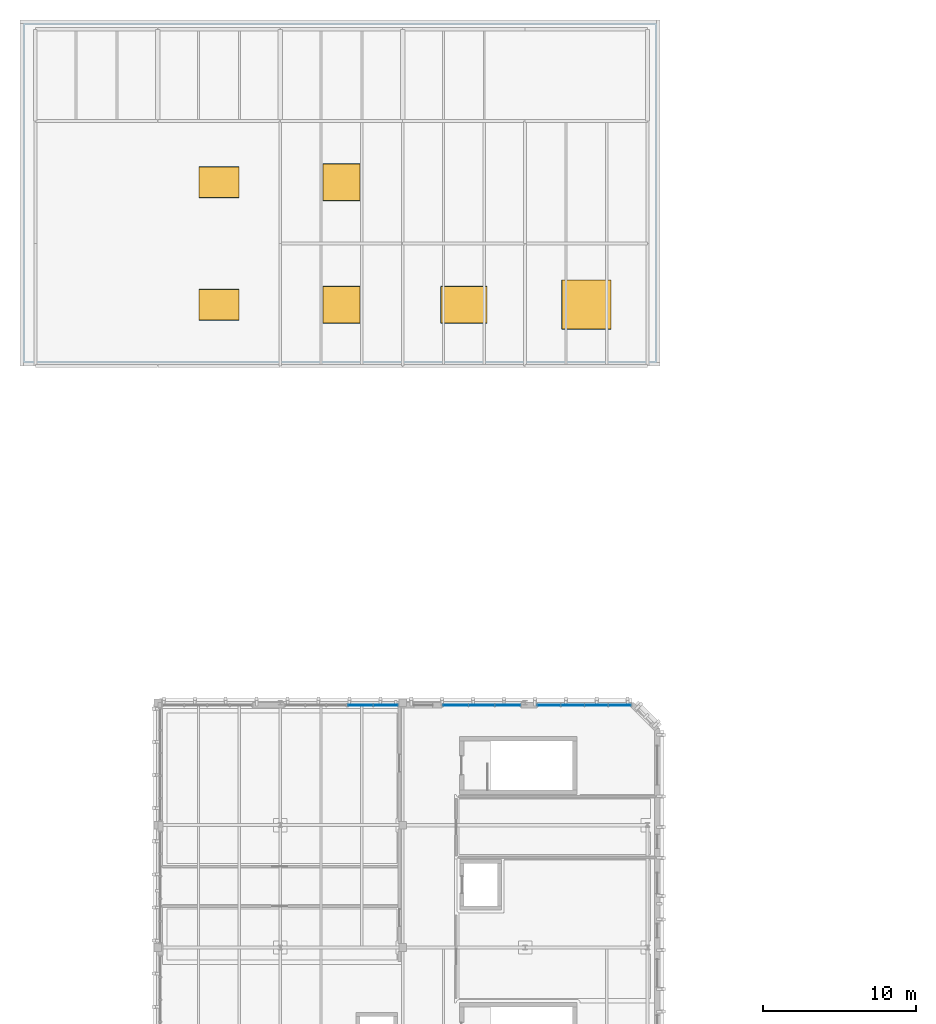
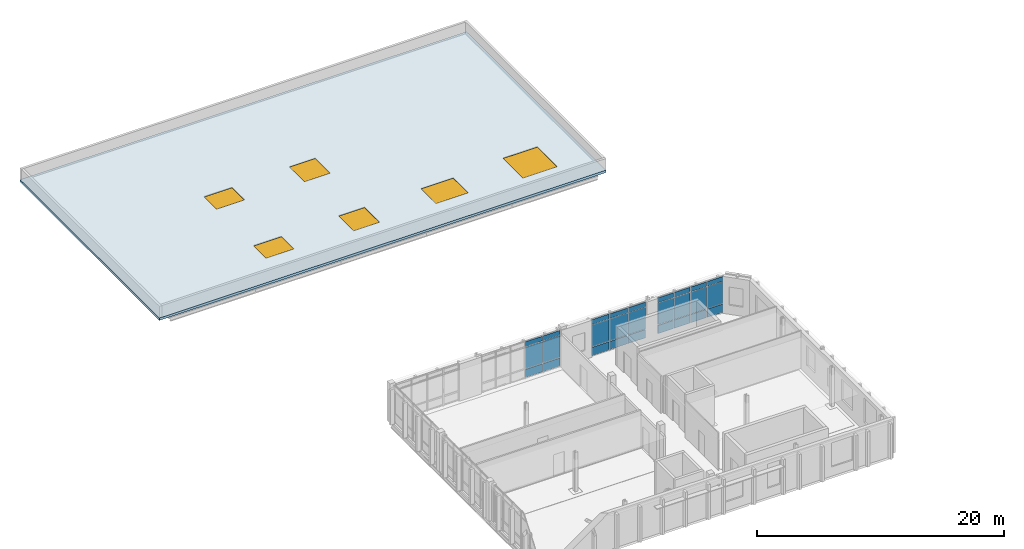
# One storey, part 14 of 28: 27 plates, 6 windows, 1 slab, 6 openings, 3 elements without a shape of their own.
"""IFC4 building model written with IfcOpenShell, lengths in metres."""

from ifc_helpers import new_model, si_unit, direction, frame, origin, origin_2d, place, context, subcontext, project, spatial, polyline, rectangle, outline, extrude, material, layer, layer_set, type_object, element, fill, aggregate, save


model = new_model("IFC4")

# Units and contexts
model_context = context("Model", 3, precision=1e-05, world=origin(), true_north=direction((0.0, 1.0)))
body_context = subcontext(model_context, "Body", "Model", "MODEL_VIEW")
ifc_project = project(units=[si_unit("LENGTHUNIT", "METRE"), si_unit("AREAUNIT", "SQUARE_METRE"), si_unit("VOLUMEUNIT", "CUBIC_METRE"), si_unit("PLANEANGLEUNIT", "RADIAN"), si_unit("MASSUNIT", "GRAM", prefix="KILO")], contexts=[model_context])

# Site, building, storey
site_placement = place(None, origin())
site = spatial("IfcSite", under=ifc_project, at=site_placement, CompositionType="ELEMENT")
building_placement = place(site_placement, origin())
building = spatial("IfcBuilding", under=site, at=building_placement, Name="Cymarion Research Institute", CompositionType="ELEMENT")
storey_placement = place(building_placement, frame((0.0, 0.0, 30.60009765625)))
storey = spatial("IfcBuildingStorey", under=building, at=storey_placement, Name="L07", CompositionType="ELEMENT", Elevation=30.60009765625)

# Curtain wall, plates
ifc_material_1 = material(Name="Anodised aluminium unitised curtain wall with Low-E glazing", Category="aluminium")
curtain_wall_type_1 = type_object("IfcCurtainWallType", Name="UNITISED CURTAIN WALL CW70 6200X3660", PredefinedType="NOTDEFINED", material=ifc_material_1)
curtain_wall_1_placement = place(storey_placement, origin())
curtain_wall_1 = element("IfcCurtainWall", 1, at=curtain_wall_1_placement, inside=storey, type_object=curtain_wall_type_1, Name="L07 V4 unitised curtain wall CW70 #235", PredefinedType="NOTDEFINED")
ifc_material_2 = material(Name="Insulated anodised aluminium spandrel panel", Category="aluminium")
ifc_layer_1 = layer(ifc_material_2, 0.06005859375)
ifc_layer_set_1 = layer_set([ifc_layer_1], Name="Insulated anodised aluminium spandrel panel")
plate_type_1 = type_object("IfcPlateType", Name="INSULATED ALUMINIUM SPANDREL PANEL SP01 60MM", PredefinedType="SHEET", material=ifc_layer_set_1)
plate_1_placement = place(storey_placement, frame((44.787841796875, 71.330078125, 0.059814453125), z_axis=(0.0, 0.0, 1.0), x_axis=(-1.0, 0.0, 0.0)))
plate_1 = element("IfcPlate", 2, at=plate_1_placement, type_object=plate_type_1, Name="CW70 panel 1.1", PredefinedType="SHEET", context=body_context, shape_type="SweptSolid", body=[
    extrude(rectangle(XDim=1.458984375, YDim=0.06005859375, at=origin_2d()), origin(), (0.0, 0.0, 1.0), 0.81005859375),
])
plate_2_placement = place(storey_placement, frame((44.787841796875, 71.330078125, 3.139892578125), z_axis=(0.0, 0.0, 1.0), x_axis=(-1.0, 0.0, 0.0)))
plate_2 = element("IfcPlate", 3, at=plate_2_placement, type_object=plate_type_1, Name="CW70 panel 1.3", PredefinedType="SHEET", context=body_context, shape_type="SweptSolid", body=[
    extrude(rectangle(XDim=1.458984375, YDim=0.06005859375, at=origin_2d()), origin(), (0.0, 0.0, 1.0), 0.4599609375),
])
plate_3_placement = place(storey_placement, frame((43.25390625, 71.330078125, 0.059814453125), z_axis=(0.0, 0.0, 1.0), x_axis=(-1.0, 0.0, 0.0)))
plate_3 = element("IfcPlate", 4, at=plate_3_placement, type_object=plate_type_1, Name="CW70 panel 2.1", PredefinedType="SHEET", context=body_context, shape_type="SweptSolid", body=[
    extrude(rectangle(XDim=1.48876953125, YDim=0.06005859375, at=origin_2d()), origin(), (0.0, 0.0, 1.0), 0.81005859375),
])
plate_4_placement = place(storey_placement, frame((43.25390625, 71.330078125, 3.139892578125), z_axis=(0.0, 0.0, 1.0), x_axis=(-1.0, 0.0, 0.0)))
plate_4 = element("IfcPlate", 5, at=plate_4_placement, type_object=plate_type_1, Name="CW70 panel 2.3", PredefinedType="SHEET", context=body_context, shape_type="SweptSolid", body=[
    extrude(rectangle(XDim=1.48876953125, YDim=0.06005859375, at=origin_2d()), origin(), (0.0, 0.0, 1.0), 0.4599609375),
])
plate_5_placement = place(storey_placement, frame((41.705078125, 71.330078125, 0.059814453125), z_axis=(0.0, 0.0, 1.0), x_axis=(-1.0, 0.0, 0.0)))
plate_5 = element("IfcPlate", 6, at=plate_5_placement, type_object=plate_type_1, Name="CW70 panel 3.1", PredefinedType="SHEET", context=body_context, shape_type="SweptSolid", body=[
    extrude(rectangle(XDim=1.48876953125, YDim=0.06005859375, at=origin_2d()), origin(), (0.0, 0.0, 1.0), 0.81005859375),
])
plate_6_placement = place(storey_placement, frame((41.705078125, 71.330078125, 3.139892578125), z_axis=(0.0, 0.0, 1.0), x_axis=(-1.0, 0.0, 0.0)))
plate_6 = element("IfcPlate", 7, at=plate_6_placement, type_object=plate_type_1, Name="CW70 panel 3.3", PredefinedType="SHEET", context=body_context, shape_type="SweptSolid", body=[
    extrude(rectangle(XDim=1.48876953125, YDim=0.06005859375, at=origin_2d()), origin(), (0.0, 0.0, 1.0), 0.4599609375),
])
plate_7_placement = place(storey_placement, frame((40.171142578125, 71.330078125, 0.059814453125), z_axis=(0.0, 0.0, 1.0), x_axis=(-1.0, 0.0, 0.0)))
plate_7 = element("IfcPlate", 8, at=plate_7_placement, type_object=plate_type_1, Name="CW70 panel 4.1", PredefinedType="SHEET", context=body_context, shape_type="SweptSolid", body=[
    extrude(rectangle(XDim=1.458984375, YDim=0.06005859375, at=origin_2d()), origin(), (0.0, 0.0, 1.0), 0.81005859375),
])
plate_8_placement = place(storey_placement, frame((40.171142578125, 71.330078125, 3.139892578125), z_axis=(0.0, 0.0, 1.0), x_axis=(-1.0, 0.0, 0.0)))
plate_8 = element("IfcPlate", 9, at=plate_8_placement, type_object=plate_type_1, Name="CW70 panel 4.3", PredefinedType="SHEET", context=body_context, shape_type="SweptSolid", body=[
    extrude(rectangle(XDim=1.458984375, YDim=0.06005859375, at=origin_2d()), origin(), (0.0, 0.0, 1.0), 0.4599609375),
])

curtain_wall_type_2 = type_object("IfcCurtainWallType", Name="UNITISED CURTAIN WALL CW71 5150X3660", PredefinedType="NOTDEFINED", material=ifc_material_1)
curtain_wall_2_placement = place(storey_placement, origin())
curtain_wall_2 = element("IfcCurtainWall", 10, at=curtain_wall_2_placement, inside=storey, type_object=curtain_wall_type_2, Name="L07 V4 unitised curtain wall CW71 #236", PredefinedType="NOTDEFINED")
plate_9_placement = place(storey_placement, frame((37.466064453125, 71.330078125, 0.059814453125), z_axis=(0.0, 0.0, 1.0), x_axis=(-1.0, 0.0, 0.0)))
plate_9 = element("IfcPlate", 11, at=plate_9_placement, type_object=plate_type_1, Name="CW71 panel 1.1", PredefinedType="SHEET", context=body_context, shape_type="SweptSolid", body=[
    extrude(rectangle(XDim=1.6279296875, YDim=0.06005859375, at=origin_2d()), origin(), (0.0, 0.0, 1.0), 0.81005859375),
])
plate_10_placement = place(storey_placement, frame((37.466064453125, 71.330078125, 3.139892578125), z_axis=(0.0, 0.0, 1.0), x_axis=(-1.0, 0.0, 0.0)))
plate_10 = element("IfcPlate", 12, at=plate_10_placement, type_object=plate_type_1, Name="CW71 panel 1.3", PredefinedType="SHEET", context=body_context, shape_type="SweptSolid", body=[
    extrude(rectangle(XDim=1.6279296875, YDim=0.06005859375, at=origin_2d()), origin(), (0.0, 0.0, 1.0), 0.4599609375),
])
plate_11_placement = place(storey_placement, frame((35.76318359375, 71.330078125, 0.059814453125), z_axis=(0.0, 0.0, 1.0), x_axis=(-1.0, 0.0, 0.0)))
plate_11 = element("IfcPlate", 13, at=plate_11_placement, type_object=plate_type_1, Name="CW71 panel 2.1", PredefinedType="SHEET", context=body_context, shape_type="SweptSolid", body=[
    extrude(rectangle(XDim=1.657958984375, YDim=0.06005859375, at=origin_2d()), origin(), (0.0, 0.0, 1.0), 0.81005859375),
])
plate_12_placement = place(storey_placement, frame((35.76318359375, 71.330078125, 3.139892578125), z_axis=(0.0, 0.0, 1.0), x_axis=(-1.0, 0.0, 0.0)))
plate_12 = element("IfcPlate", 14, at=plate_12_placement, type_object=plate_type_1, Name="CW71 panel 2.3", PredefinedType="SHEET", context=body_context, shape_type="SweptSolid", body=[
    extrude(rectangle(XDim=1.657958984375, YDim=0.06005859375, at=origin_2d()), origin(), (0.0, 0.0, 1.0), 0.4599609375),
])
plate_13_placement = place(storey_placement, frame((34.060302734375, 71.330078125, 0.059814453125), z_axis=(0.0, 0.0, 1.0), x_axis=(-1.0, 0.0, 0.0)))
plate_13 = element("IfcPlate", 15, at=plate_13_placement, type_object=plate_type_1, Name="CW71 panel 3.1", PredefinedType="SHEET", context=body_context, shape_type="SweptSolid", body=[
    extrude(rectangle(XDim=1.6279296875, YDim=0.06005859375, at=origin_2d()), origin(), (0.0, 0.0, 1.0), 0.81005859375),
])
plate_14_placement = place(storey_placement, frame((34.060302734375, 71.330078125, 3.139892578125), z_axis=(0.0, 0.0, 1.0), x_axis=(-1.0, 0.0, 0.0)))
plate_14 = element("IfcPlate", 16, at=plate_14_placement, type_object=plate_type_1, Name="CW71 panel 3.3", PredefinedType="SHEET", context=body_context, shape_type="SweptSolid", body=[
    extrude(rectangle(XDim=1.6279296875, YDim=0.06005859375, at=origin_2d()), origin(), (0.0, 0.0, 1.0), 0.4599609375),
])

curtain_wall_type_3 = type_object("IfcCurtainWallType", Name="UNITISED CURTAIN WALL CW72 3350X3660", PredefinedType="NOTDEFINED", material=ifc_material_1)
curtain_wall_3_placement = place(storey_placement, origin())
curtain_wall_3 = element("IfcCurtainWall", 17, at=curtain_wall_3_placement, inside=storey, type_object=curtain_wall_type_3, Name="L07 V4 unitised curtain wall CW72 #237", PredefinedType="NOTDEFINED")
plate_15_placement = place(storey_placement, frame((29.48779296875, 71.330078125, 0.059814453125), z_axis=(0.0, 0.0, 1.0), x_axis=(-1.0, 0.0, 0.0)))
plate_15 = element("IfcPlate", 18, at=plate_15_placement, type_object=plate_type_1, Name="CW72 panel 1.1", PredefinedType="SHEET", context=body_context, shape_type="SweptSolid", body=[
    extrude(rectangle(XDim=1.58447265625, YDim=0.06005859375, at=origin_2d()), origin(), (0.0, 0.0, 1.0), 0.81005859375),
])
plate_16_placement = place(storey_placement, frame((29.48779296875, 71.330078125, 3.139892578125), z_axis=(0.0, 0.0, 1.0), x_axis=(-1.0, 0.0, 0.0)))
plate_16 = element("IfcPlate", 19, at=plate_16_placement, type_object=plate_type_1, Name="CW72 panel 1.3", PredefinedType="SHEET", context=body_context, shape_type="SweptSolid", body=[
    extrude(rectangle(XDim=1.58447265625, YDim=0.06005859375, at=origin_2d()), origin(), (0.0, 0.0, 1.0), 0.4599609375),
])
plate_17_placement = place(storey_placement, frame((27.84326171875, 71.330078125, 0.059814453125), z_axis=(0.0, 0.0, 1.0), x_axis=(-1.0, 0.0, 0.0)))
plate_17 = element("IfcPlate", 20, at=plate_17_placement, type_object=plate_type_1, Name="CW72 panel 2.1", PredefinedType="SHEET", context=body_context, shape_type="SweptSolid", body=[
    extrude(rectangle(XDim=1.58447265625, YDim=0.06005859375, at=origin_2d()), origin(), (0.0, 0.0, 1.0), 0.81005859375),
])
plate_18_placement = place(storey_placement, frame((27.84326171875, 71.330078125, 3.139892578125), z_axis=(0.0, 0.0, 1.0), x_axis=(-1.0, 0.0, 0.0)))
plate_18 = element("IfcPlate", 21, at=plate_18_placement, type_object=plate_type_1, Name="CW72 panel 2.3", PredefinedType="SHEET", context=body_context, shape_type="SweptSolid", body=[
    extrude(rectangle(XDim=1.58447265625, YDim=0.06005859375, at=origin_2d()), origin(), (0.0, 0.0, 1.0), 0.4599609375),
])

# Slab, openings, windows
ifc_material_3 = material(Name="Concrete C35/45", Category="concrete")
ifc_layer_2 = layer(ifc_material_3, 0.239990234375)
ifc_layer_set_2 = layer_set([ifc_layer_2], Name="Concrete C35/45")
slab_type = type_object("IfcSlabType", Name="ROOF SLAB SL-RF240 240MM", PredefinedType="ROOF", material=ifc_layer_set_2)
slab_placement = place(storey_placement, frame((0.0, 0.0, -0.239990234375)))
slab = element("IfcSlab", 22, at=slab_placement, inside=storey, type_object=slab_type, Name="L07 insulated flat roof deck ROOF-L07-V5", PredefinedType="ROOF", context=body_context, shape_type="SweptSolid", body=[
    extrude(outline(polyline([(5.60009765625, 93.5), (47.39990234375, 93.5), (47.39990234375, 116.10009765625), (5.60009765625, 116.10009765625), (5.60009765625, 93.5)]), holes=[polyline([(17.300048828125, 96.5), (17.300048828125, 98.5), (19.89990234375, 98.5), (19.89990234375, 96.5), (17.300048828125, 96.5)]), polyline([(25.39990234375, 96.300048828125), (25.39990234375, 98.699951171875), (27.800048828125, 98.699951171875), (27.800048828125, 96.300048828125), (25.39990234375, 96.300048828125)]), polyline([(33.10009765625, 96.300048828125), (33.10009765625, 98.699951171875), (36.10009765625, 98.699951171875), (36.10009765625, 96.300048828125), (33.10009765625, 96.300048828125)]), polyline([(41.0, 95.89990234375), (41.0, 99.10009765625), (44.199951171875, 99.10009765625), (44.199951171875, 95.89990234375), (41.0, 95.89990234375)]), polyline([(17.300048828125, 104.5), (17.300048828125, 106.5), (19.89990234375, 106.5), (19.89990234375, 104.5), (17.300048828125, 104.5)]), polyline([(25.39990234375, 104.300048828125), (25.39990234375, 106.699951171875), (27.800048828125, 106.699951171875), (27.800048828125, 104.300048828125), (25.39990234375, 104.300048828125)])]), origin(), (0.0, 0.0, 1.0), 0.239990234375),
])
opening_1_placement = place(slab_placement, frame((18.60009765625, 97.5, 0.0)))
opening_1 = element("IfcOpeningElement", 23, at=opening_1_placement, cuts=slab, Name="Opening SKY4", PredefinedType="OPENING", context=body_context, shape_type="SweptSolid", body=[
    extrude(rectangle(XDim=2.60009765625, YDim=2.0, at=origin_2d()), frame((0.0, 0.0, -0.010009765625)), (0.0, 0.0, 1.0), 0.260009765625),
])
opening_2_placement = place(slab_placement, frame((26.60009765625, 97.5, 0.0)))
opening_2 = element("IfcOpeningElement", 24, at=opening_2_placement, cuts=slab, Name="Opening SKY1", PredefinedType="OPENING", context=body_context, shape_type="SweptSolid", body=[
    extrude(rectangle(XDim=2.39990234375, YDim=2.39990234375, at=origin_2d()), frame((0.0, 0.0, -0.010009765625)), (0.0, 0.0, 1.0), 0.260009765625),
])
opening_3_placement = place(slab_placement, frame((34.60009765625, 97.5, 0.0)))
opening_3 = element("IfcOpeningElement", 25, at=opening_3_placement, cuts=slab, Name="Opening SKY2", PredefinedType="OPENING", context=body_context, shape_type="SweptSolid", body=[
    extrude(rectangle(XDim=3.0, YDim=2.39990234375, at=origin_2d()), frame((0.0, 0.0, -0.010009765625)), (0.0, 0.0, 1.0), 0.260009765625),
])
opening_4_placement = place(slab_placement, frame((42.60009765625, 97.5, 0.0)))
opening_4 = element("IfcOpeningElement", 26, at=opening_4_placement, cuts=slab, Name="Opening SKY3", PredefinedType="OPENING", context=body_context, shape_type="SweptSolid", body=[
    extrude(rectangle(XDim=3.199951171875, YDim=3.199951171875, at=origin_2d()), frame((0.0, 0.0, -0.010009765625)), (0.0, 0.0, 1.0), 0.260009765625),
])
opening_5_placement = place(slab_placement, frame((18.60009765625, 105.5, 0.0)))
opening_5 = element("IfcOpeningElement", 27, at=opening_5_placement, cuts=slab, Name="Opening SKY4", PredefinedType="OPENING", context=body_context, shape_type="SweptSolid", body=[
    extrude(rectangle(XDim=2.60009765625, YDim=2.0, at=origin_2d()), frame((0.0, 0.0, -0.010009765625)), (0.0, 0.0, 1.0), 0.260009765625),
])
opening_6_placement = place(slab_placement, frame((26.60009765625, 105.5, 0.0)))
opening_6 = element("IfcOpeningElement", 28, at=opening_6_placement, cuts=slab, Name="Opening SKY1", PredefinedType="OPENING", context=body_context, shape_type="SweptSolid", body=[
    extrude(rectangle(XDim=2.39990234375, YDim=2.39990234375, at=origin_2d()), frame((0.0, 0.0, -0.010009765625)), (0.0, 0.0, 1.0), 0.260009765625),
])
ifc_material_4 = material(Name="Thermally broken aluminium skylight with laminated Low-E glass", Category="aluminium")
window_type_1 = type_object("IfcWindowType", Name="INSULATED ALUMINIUM ROOF SKYLIGHT SKY1 2400X2400", PartitioningType="SINGLE_PANEL", PredefinedType="SKYLIGHT", material=ifc_material_4)
window_1_placement = place(opening_2_placement, frame((0.0, 0.0, 0.18994140625)))
window_1 = element("IfcWindow", 29, at=window_1_placement, inside=storey, type_object=window_type_1, Name="L07 insulated roof skylight SKY1 #5", OverallHeight=2.39990234375, OverallWidth=2.39990234375, PartitioningType="SINGLE_PANEL", PredefinedType="SKYLIGHT", context=body_context, shape_type="SweptSolid", body=[
    extrude(rectangle(XDim=2.39990234375, YDim=2.39990234375, at=origin_2d()), origin(), (0.0, 0.0, 1.0), 0.050048828125),
])
fill(opening_2, window_1)
window_2_placement = place(opening_6_placement, frame((0.0, 0.0, 0.18994140625)))
window_2 = element("IfcWindow", 30, at=window_2_placement, inside=storey, type_object=window_type_1, Name="L07 insulated roof skylight SKY1 #9", OverallHeight=2.39990234375, OverallWidth=2.39990234375, PartitioningType="SINGLE_PANEL", PredefinedType="SKYLIGHT", context=body_context, shape_type="SweptSolid", body=[
    extrude(rectangle(XDim=2.39990234375, YDim=2.39990234375, at=origin_2d()), origin(), (0.0, 0.0, 1.0), 0.050048828125),
])
fill(opening_6, window_2)
window_type_2 = type_object("IfcWindowType", Name="INSULATED ALUMINIUM ROOF SKYLIGHT SKY2 3000X2400", PartitioningType="SINGLE_PANEL", PredefinedType="SKYLIGHT", material=ifc_material_4)
window_3_placement = place(opening_3_placement, frame((0.0, 0.0, 0.18994140625)))
window_3 = element("IfcWindow", 31, at=window_3_placement, inside=storey, type_object=window_type_2, Name="L07 insulated roof skylight SKY2 #6", OverallHeight=2.39990234375, OverallWidth=3.0, PartitioningType="SINGLE_PANEL", PredefinedType="SKYLIGHT", context=body_context, shape_type="SweptSolid", body=[
    extrude(rectangle(XDim=3.0, YDim=2.39990234375, at=origin_2d()), origin(), (0.0, 0.0, 1.0), 0.050048828125),
])
fill(opening_3, window_3)
window_type_3 = type_object("IfcWindowType", Name="INSULATED ALUMINIUM ROOF SKYLIGHT SKY3 3200X3200", PartitioningType="SINGLE_PANEL", PredefinedType="SKYLIGHT", material=ifc_material_4)
window_4_placement = place(opening_4_placement, frame((0.0, 0.0, 0.18994140625)))
window_4 = element("IfcWindow", 32, at=window_4_placement, inside=storey, type_object=window_type_3, Name="L07 insulated roof skylight SKY3 #7", OverallHeight=3.199951171875, OverallWidth=3.199951171875, PartitioningType="SINGLE_PANEL", PredefinedType="SKYLIGHT", context=body_context, shape_type="SweptSolid", body=[
    extrude(rectangle(XDim=3.199951171875, YDim=3.199951171875, at=origin_2d()), origin(), (0.0, 0.0, 1.0), 0.050048828125),
])
fill(opening_4, window_4)
window_type_4 = type_object("IfcWindowType", Name="INSULATED ALUMINIUM ROOF SKYLIGHT SKY4 2600X2000", PartitioningType="SINGLE_PANEL", PredefinedType="SKYLIGHT", material=ifc_material_4)
window_5_placement = place(opening_1_placement, frame((0.0, 0.0, 0.18994140625)))
window_5 = element("IfcWindow", 33, at=window_5_placement, inside=storey, type_object=window_type_4, Name="L07 insulated roof skylight SKY4 #4", OverallHeight=2.0, OverallWidth=2.60009765625, PartitioningType="SINGLE_PANEL", PredefinedType="SKYLIGHT", context=body_context, shape_type="SweptSolid", body=[
    extrude(rectangle(XDim=2.60009765625, YDim=2.0, at=origin_2d()), origin(), (0.0, 0.0, 1.0), 0.050048828125),
])
fill(opening_1, window_5)
window_6_placement = place(opening_5_placement, frame((0.0, 0.0, 0.18994140625)))
window_6 = element("IfcWindow", 34, at=window_6_placement, inside=storey, type_object=window_type_4, Name="L07 insulated roof skylight SKY4 #8", OverallHeight=2.0, OverallWidth=2.60009765625, PartitioningType="SINGLE_PANEL", PredefinedType="SKYLIGHT", context=body_context, shape_type="SweptSolid", body=[
    extrude(rectangle(XDim=2.60009765625, YDim=2.0, at=origin_2d()), origin(), (0.0, 0.0, 1.0), 0.050048828125),
])
fill(opening_5, window_6)

# Plate
ifc_material_5 = material(Name="Low-E double solar-control glazing", Category="glass")
ifc_layer_3 = layer(ifc_material_5, 0.035888671875)
ifc_layer_set_3 = layer_set([ifc_layer_3], Name="Low-E double solar-control glazing")
plate_type_2 = type_object("IfcPlateType", Name="SOLAR CONTROL GLAZED VISION PANEL GP01 36MM", PredefinedType="CURTAIN_PANEL", material=ifc_layer_set_3)
plate_19_placement = place(storey_placement, frame((44.787841796875, 71.330078125, 0.929931640625), z_axis=(0.0, 0.0, 1.0), x_axis=(-1.0, 0.0, 0.0)))
plate_19 = element("IfcPlate", 35, at=plate_19_placement, type_object=plate_type_2, Name="CW70 panel 1.2", PredefinedType="CURTAIN_PANEL", context=body_context, shape_type="SweptSolid", body=[
    extrude(rectangle(XDim=1.458984375, YDim=0.035888671875, at=origin_2d()), origin(), (0.0, 0.0, 1.0), 2.14990234375),
])

plate_20_placement = place(storey_placement, frame((43.25390625, 71.330078125, 0.929931640625), z_axis=(0.0, 0.0, 1.0), x_axis=(-1.0, 0.0, 0.0)))
plate_20 = element("IfcPlate", 36, at=plate_20_placement, type_object=plate_type_2, Name="CW70 panel 2.2", PredefinedType="CURTAIN_PANEL", context=body_context, shape_type="SweptSolid", body=[
    extrude(rectangle(XDim=1.48876953125, YDim=0.035888671875, at=origin_2d()), origin(), (0.0, 0.0, 1.0), 2.14990234375),
])

plate_21_placement = place(storey_placement, frame((41.705078125, 71.330078125, 0.929931640625), z_axis=(0.0, 0.0, 1.0), x_axis=(-1.0, 0.0, 0.0)))
plate_21 = element("IfcPlate", 37, at=plate_21_placement, type_object=plate_type_2, Name="CW70 panel 3.2", PredefinedType="CURTAIN_PANEL", context=body_context, shape_type="SweptSolid", body=[
    extrude(rectangle(XDim=1.48876953125, YDim=0.035888671875, at=origin_2d()), origin(), (0.0, 0.0, 1.0), 2.14990234375),
])

plate_22_placement = place(storey_placement, frame((40.171142578125, 71.330078125, 0.929931640625), z_axis=(0.0, 0.0, 1.0), x_axis=(-1.0, 0.0, 0.0)))
plate_22 = element("IfcPlate", 38, at=plate_22_placement, type_object=plate_type_2, Name="CW70 panel 4.2", PredefinedType="CURTAIN_PANEL", context=body_context, shape_type="SweptSolid", body=[
    extrude(rectangle(XDim=1.458984375, YDim=0.035888671875, at=origin_2d()), origin(), (0.0, 0.0, 1.0), 2.14990234375),
])

aggregate(curtain_wall_1, [plate_1, plate_19, plate_2, plate_3, plate_20, plate_4, plate_5, plate_21, plate_6, plate_7, plate_22, plate_8])

plate_23_placement = place(storey_placement, frame((37.466064453125, 71.330078125, 0.929931640625), z_axis=(0.0, 0.0, 1.0), x_axis=(-1.0, 0.0, 0.0)))
plate_23 = element("IfcPlate", 39, at=plate_23_placement, type_object=plate_type_2, Name="CW71 panel 1.2", PredefinedType="CURTAIN_PANEL", context=body_context, shape_type="SweptSolid", body=[
    extrude(rectangle(XDim=1.6279296875, YDim=0.035888671875, at=origin_2d()), origin(), (0.0, 0.0, 1.0), 2.14990234375),
])

plate_24_placement = place(storey_placement, frame((35.76318359375, 71.330078125, 0.929931640625), z_axis=(0.0, 0.0, 1.0), x_axis=(-1.0, 0.0, 0.0)))
plate_24 = element("IfcPlate", 40, at=plate_24_placement, type_object=plate_type_2, Name="CW71 panel 2.2", PredefinedType="CURTAIN_PANEL", context=body_context, shape_type="SweptSolid", body=[
    extrude(rectangle(XDim=1.657958984375, YDim=0.035888671875, at=origin_2d()), origin(), (0.0, 0.0, 1.0), 2.14990234375),
])

plate_25_placement = place(storey_placement, frame((34.060302734375, 71.330078125, 0.929931640625), z_axis=(0.0, 0.0, 1.0), x_axis=(-1.0, 0.0, 0.0)))
plate_25 = element("IfcPlate", 41, at=plate_25_placement, type_object=plate_type_2, Name="CW71 panel 3.2", PredefinedType="CURTAIN_PANEL", context=body_context, shape_type="SweptSolid", body=[
    extrude(rectangle(XDim=1.6279296875, YDim=0.035888671875, at=origin_2d()), origin(), (0.0, 0.0, 1.0), 2.14990234375),
])

aggregate(curtain_wall_2, [plate_9, plate_23, plate_10, plate_11, plate_24, plate_12, plate_13, plate_25, plate_14])

plate_26_placement = place(storey_placement, frame((29.48779296875, 71.330078125, 0.929931640625), z_axis=(0.0, 0.0, 1.0), x_axis=(-1.0, 0.0, 0.0)))
plate_26 = element("IfcPlate", 42, at=plate_26_placement, type_object=plate_type_2, Name="CW72 panel 1.2", PredefinedType="CURTAIN_PANEL", context=body_context, shape_type="SweptSolid", body=[
    extrude(rectangle(XDim=1.58447265625, YDim=0.035888671875, at=origin_2d()), origin(), (0.0, 0.0, 1.0), 2.14990234375),
])

plate_27_placement = place(storey_placement, frame((27.84326171875, 71.330078125, 0.929931640625), z_axis=(0.0, 0.0, 1.0), x_axis=(-1.0, 0.0, 0.0)))
plate_27 = element("IfcPlate", 43, at=plate_27_placement, type_object=plate_type_2, Name="CW72 panel 2.2", PredefinedType="CURTAIN_PANEL", context=body_context, shape_type="SweptSolid", body=[
    extrude(rectangle(XDim=1.58447265625, YDim=0.035888671875, at=origin_2d()), origin(), (0.0, 0.0, 1.0), 2.14990234375),
])

aggregate(curtain_wall_3, [plate_15, plate_26, plate_16, plate_17, plate_27, plate_18])

save(model, "model.ifc")
